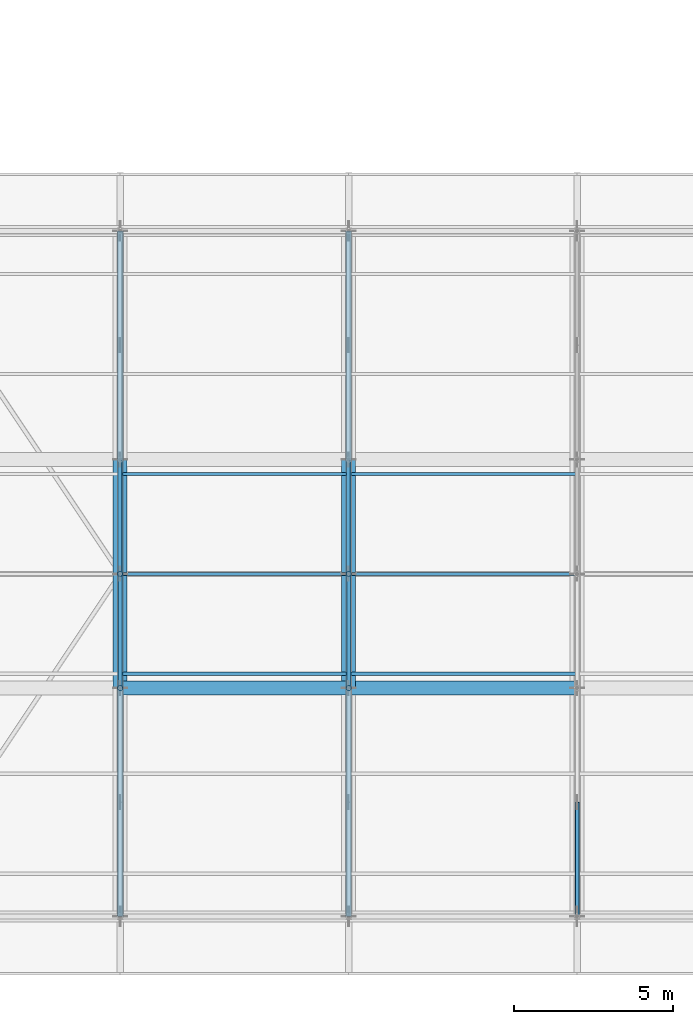
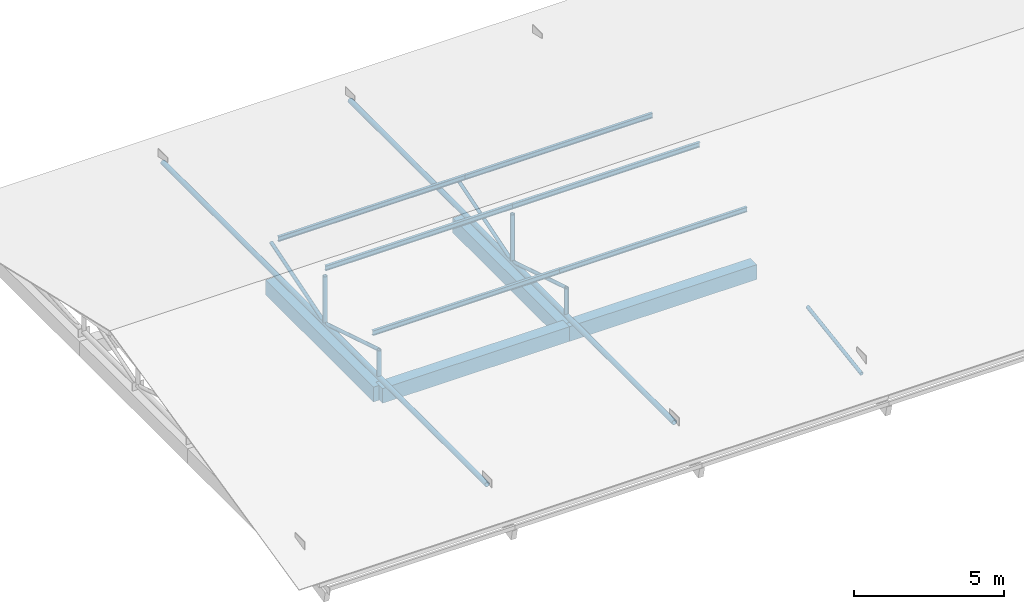
# One storey, part 54 of 93: 17 members, 4 beams.
"""IFC4 building model written with IfcOpenShell, lengths in metres."""

from ifc_helpers import new_model, si_unit, direction, frame, origin, origin_2d, place, context, subcontext, project, spatial, rectangle, hollow_circle, i_section, extrude, material, material_profile, profile_set, type_object, element, save


model = new_model("IFC4")

# Units and contexts
model_context = context("Model", 3, precision=1e-05, world=origin(), true_north=direction((0.0, 1.0)))
body_context = subcontext(model_context, "Body", "Model", "MODEL_VIEW")
ifc_project = project(units=[si_unit("LENGTHUNIT", "METRE"), si_unit("AREAUNIT", "SQUARE_METRE"), si_unit("VOLUMEUNIT", "CUBIC_METRE"), si_unit("PLANEANGLEUNIT", "RADIAN"), si_unit("MASSUNIT", "GRAM", prefix="KILO")], contexts=[model_context])

# Site, building, storey
site_placement = place(None, origin())
site = spatial("IfcSite", under=ifc_project, at=site_placement, CompositionType="ELEMENT")
building_placement = place(site_placement, origin())
building = spatial("IfcBuilding", under=site, at=building_placement, Name="Zornivar Specialist Clinic", CompositionType="ELEMENT")
storey_placement = place(building_placement, frame((0.0, 0.0, 8.39990234375)))
storey = spatial("IfcBuildingStorey", under=building, at=storey_placement, Name="L02", CompositionType="ELEMENT", Elevation=8.39990234375)

# Beams
ifc_material_1 = material(Name="Concrete C30/37", Category="concrete")
ifc_material_profile_1 = material_profile(ifc_material_1, rectangle(XDim=0.43994140625, YDim=0.60009765625, at=origin_2d()), Name="RC 440x600")
ifc_profile_set_1 = profile_set([ifc_material_profile_1], Name="Concrete C30/37")
beam_type = type_object("IfcBeamType", Name="BM-RC-440x600", PredefinedType="BEAM", material=ifc_profile_set_1)
for number, where, z_axis, x_axis, name in (
    (1, (129.60009765625, 7.199951171875, -0.2998046875), (1.0, 0.0, 0.0), (0.0, 1.0, 0.0), "bm:V4:L02:x:72:1"),
    (2, (136.800048828125, 7.199951171875, -0.2998046875), (1.0, 0.0, 0.0), (0.0, 1.0, 0.0), "bm:V4:L02:x:72:2"),
    (3, (129.60009765625, 7.199951171875, -0.2998046875), (0.0, 1.0, 0.0), (-1.0, 0.0, 0.0), "bm:V4:L02:y:1296:1"),
    (4, (136.800048828125, 7.199951171875, -0.2998046875), (0.0, 1.0, 0.0), (-1.0, 0.0, 0.0), "bm:V4:L02:y:1368:1"),
):
    element("IfcBeam", number, at=place(storey_placement, frame(where, z_axis=z_axis, x_axis=x_axis)), inside=storey, type_object=beam_type, Name=name, PredefinedType="BEAM", context=body_context, shape_type="SweptSolid", body=[
        extrude(rectangle(XDim=0.43994140625, YDim=0.60009765625, at=origin_2d()), origin(), (0.0, 0.0, 1.0), 7.199951171875),
    ])

# Members
ifc_material_2 = material(Name="Steel S355J2", Category="steel")
ifc_material_profile_2 = material_profile(ifc_material_2, hollow_circle(Radius=0.096923828125, WallThickness=0.010009765625, at=origin_2d()), Name="CHS 193.7x10")
ifc_profile_set_2 = profile_set([ifc_material_profile_2], Name="Steel S355J2")
member_type_1 = type_object("IfcMemberType", Name="MEM-CHORD-CHS194", PredefinedType="CHORD", material=ifc_profile_set_2)
for number, where, z_axis, x_axis, name in (
    (5, (129.60009765625, 0.0, 0.340087890625), (0.0, 1.0, 0.0), (-1.0, 0.0, 0.0), "mem:V4:L02:bchord:1"),
    (6, (136.800048828125, 0.0, 0.340087890625), (0.0, 1.0, 0.0), (-1.0, 0.0, 0.0), "mem:V4:L02:bchord:2"),
):
    element("IfcMember", number, at=place(storey_placement, frame(where, z_axis=z_axis, x_axis=x_axis)), inside=storey, type_object=member_type_1, Name=name, PredefinedType="CHORD", context=body_context, shape_type="SweptSolid", body=[
        extrude(hollow_circle(Radius=0.096923828125, WallThickness=0.010009765625, at=origin_2d()), origin(), (0.0, 0.0, 1.0), 21.60009765625),
    ])
ifc_material_3 = material(Name="Steel S355J2", Category="steel")
ifc_material_profile_3 = material_profile(ifc_material_3, hollow_circle(Radius=0.06982421875, WallThickness=0.008056640625, at=origin_2d()), Name="CHS 139.7x8")
ifc_profile_set_3 = profile_set([ifc_material_profile_3], Name="Steel S355J2")
member_type_2 = type_object("IfcMemberType", Name="MEM-DIAG-CHS140", PredefinedType="BRACE", material=ifc_profile_set_3)
member_1_placement = place(storey_placement, frame((129.60009765625, 10.800048828125, 0.340087890625), z_axis=(0.0, -0.955308543941, 0.29561053072), x_axis=(1.0, 0.0, 0.0)))
element("IfcMember", 7, at=member_1_placement, inside=storey, type_object=member_type_2, Name="mem:V4:L02:diag:1:S:0", PredefinedType="BRACE", context=body_context, shape_type="SweptSolid", body=[
    extrude(hollow_circle(Radius=0.06982421875, WallThickness=0.008056640625, at=origin_2d()), origin(), (0.0, 0.0, 1.0), 3.7685546875),
])
member_2_placement = place(storey_placement, frame((129.60009765625, 10.800048828125, 0.340087890625), z_axis=(0.0, 0.955302882206, 0.295628826823), x_axis=(-1.0, 0.0, 0.0)))
element("IfcMember", 8, at=member_2_placement, inside=storey, type_object=member_type_2, Name="mem:V4:L02:diag:1:N:0", PredefinedType="BRACE", context=body_context, shape_type="SweptSolid", body=[
    extrude(hollow_circle(Radius=0.06982421875, WallThickness=0.008056640625, at=origin_2d()), origin(), (0.0, 0.0, 1.0), 3.768310546875),
])
member_3_placement = place(storey_placement, frame((136.800048828125, 10.800048828125, 0.340087890625), z_axis=(0.0, -0.955308543941, 0.29561053072), x_axis=(1.0, 0.0, 0.0)))
element("IfcMember", 9, at=member_3_placement, inside=storey, type_object=member_type_2, Name="mem:V4:L02:diag:2:S:0", PredefinedType="BRACE", context=body_context, shape_type="SweptSolid", body=[
    extrude(hollow_circle(Radius=0.06982421875, WallThickness=0.008056640625, at=origin_2d()), origin(), (0.0, 0.0, 1.0), 3.7685546875),
])
member_4_placement = place(storey_placement, frame((136.800048828125, 10.800048828125, 0.340087890625), z_axis=(0.0, 0.955302882206, 0.295628826823), x_axis=(-1.0, 0.0, 0.0)))
element("IfcMember", 10, at=member_4_placement, inside=storey, type_object=member_type_2, Name="mem:V4:L02:diag:2:N:0", PredefinedType="BRACE", context=body_context, shape_type="SweptSolid", body=[
    extrude(hollow_circle(Radius=0.06982421875, WallThickness=0.008056640625, at=origin_2d()), origin(), (0.0, 0.0, 1.0), 3.768310546875),
])
ifc_material_4 = material(Name="Steel S355J2", Category="steel")
ifc_material_profile_4 = material_profile(ifc_material_4, hollow_circle(Radius=0.06982421875, WallThickness=0.010009765625, at=origin_2d()), Name="CHS 139.7x10")
ifc_profile_set_4 = profile_set([ifc_material_profile_4], Name="Steel S355J2")
member_type_3 = type_object("IfcMemberType", Name="MEM-DIAG-CHS140H", PredefinedType="BRACE", material=ifc_profile_set_4)
member_5_placement = place(storey_placement, frame((144.0, 3.60009765625, 0.340087890625), z_axis=(0.0, -0.988817004891, -0.149133935906), x_axis=(1.0, 0.0, 0.0)))
element("IfcMember", 11, at=member_5_placement, inside=storey, type_object=member_type_3, Name="mem:V4:L02:diag:3:S:2", PredefinedType="BRACE", context=body_context, shape_type="SweptSolid", body=[
    extrude(hollow_circle(Radius=0.06982421875, WallThickness=0.010009765625, at=origin_2d()), origin(), (0.0, 0.0, 1.0), 3.640869140625),
])
ifc_material_5 = material(Name="Steel S355J2", Category="steel")
ifc_material_profile_5 = material_profile(ifc_material_5, hollow_circle(Radius=0.084228515625, WallThickness=0.012451171875, at=origin_2d()), Name="CHS 168.3x12.5")
ifc_profile_set_5 = profile_set([ifc_material_profile_5], Name="Steel S355J2")
member_type_4 = type_object("IfcMemberType", Name="MEM-KING-CHS168H", PredefinedType="STRUT", material=ifc_profile_set_5)
for number, where, z_axis, x_axis, name in (
    (12, (129.60009765625, 10.800048828125, 0.340087890625), (0.0, 0.0, 1.0), (1.0, 0.0, 0.0), "mem:V4:L02:king:1"),
    (13, (136.800048828125, 10.800048828125, 0.340087890625), (0.0, 0.0, 1.0), (1.0, 0.0, 0.0), "mem:V4:L02:king:2"),
):
    element("IfcMember", number, at=place(storey_placement, frame(where, z_axis=z_axis, x_axis=x_axis)), inside=storey, type_object=member_type_4, Name=name, PredefinedType="STRUT", context=body_context, shape_type="SweptSolid", body=[
        extrude(hollow_circle(Radius=0.084228515625, WallThickness=0.012451171875, at=origin_2d()), origin(), (0.0, 0.0, 1.0), 1.94189453125),
    ])
ifc_material_6 = material(Name="Steel S355J2", Category="steel")
ifc_material_profile_6 = material_profile(ifc_material_6, i_section(OverallWidth=0.10009765625, OverallDepth=0.199951171875, WebThickness=0.005615234375, FlangeThickness=0.008544921875, FilletRadius=0.011962890625, at=origin_2d()), Name="IPE 200")
ifc_profile_set_6 = profile_set([ifc_material_profile_6], Name="Steel S355J2")
member_type_5 = type_object("IfcMemberType", Name="MEM-PURLIN-IPE200", PredefinedType="PURLIN", material=ifc_profile_set_6)
for number, where, z_axis, x_axis, name in (
    (14, (129.60009765625, 7.64990234375, 1.869140625), (1.0, 0.0, 0.0), (0.0, 1.0, 0.0), "mem:V4:L02:purl:1:03"),
    (15, (129.60009765625, 10.800048828125, 2.593994140625), (1.0, 0.0, 0.0), (0.0, 1.0, 0.0), "mem:V4:L02:purl:1:04"),
    (16, (129.60009765625, 13.949951171875, 1.869140625), (1.0, 0.0, 0.0), (0.0, 1.0, 0.0), "mem:V4:L02:purl:1:05"),
    (17, (136.800048828125, 7.64990234375, 1.869140625), (1.0, 0.0, 0.0), (0.0, 1.0, 0.0), "mem:V4:L02:purl:2:03"),
    (18, (136.800048828125, 10.800048828125, 2.593994140625), (1.0, 0.0, 0.0), (0.0, 1.0, 0.0), "mem:V4:L02:purl:2:04"),
    (19, (136.800048828125, 13.949951171875, 1.869140625), (1.0, 0.0, 0.0), (0.0, 1.0, 0.0), "mem:V4:L02:purl:2:05"),
):
    element("IfcMember", number, at=place(storey_placement, frame(where, z_axis=z_axis, x_axis=x_axis)), inside=storey, type_object=member_type_5, Name=name, PredefinedType="PURLIN", context=body_context, shape_type="SweptSolid", body=[
        extrude(i_section(OverallWidth=0.10009765625, OverallDepth=0.199951171875, WebThickness=0.005615234375, FlangeThickness=0.008544921875, FilletRadius=0.011962890625, at=origin_2d()), origin(), (0.0, 0.0, 1.0), 7.199951171875),
    ])
ifc_material_7 = material(Name="Steel S355J2", Category="steel")
ifc_material_profile_7 = material_profile(ifc_material_7, hollow_circle(Radius=0.084228515625, WallThickness=0.010009765625, at=origin_2d()), Name="CHS 168.3x10")
ifc_profile_set_7 = profile_set([ifc_material_profile_7], Name="Steel S355J2")
member_type_6 = type_object("IfcMemberType", Name="MEM-STRUT-CHS168", PredefinedType="STRUT", material=ifc_profile_set_7)
for number, where, z_axis, x_axis, name in (
    (20, (129.60009765625, 7.199951171875, 0.340087890625), (0.0, 0.0, 1.0), (1.0, 0.0, 0.0), "mem:V4:L02:vert:1:S:1"),
    (21, (136.800048828125, 7.199951171875, 0.340087890625), (0.0, 0.0, 1.0), (1.0, 0.0, 0.0), "mem:V4:L02:vert:2:S:1"),
):
    element("IfcMember", number, at=place(storey_placement, frame(where, z_axis=z_axis, x_axis=x_axis)), inside=storey, type_object=member_type_6, Name=name, PredefinedType="STRUT", context=body_context, shape_type="SweptSolid", body=[
        extrude(hollow_circle(Radius=0.084228515625, WallThickness=0.010009765625, at=origin_2d()), origin(), (0.0, 0.0, 1.0), 1.114013671875),
    ])

save(model, "model.ifc")
